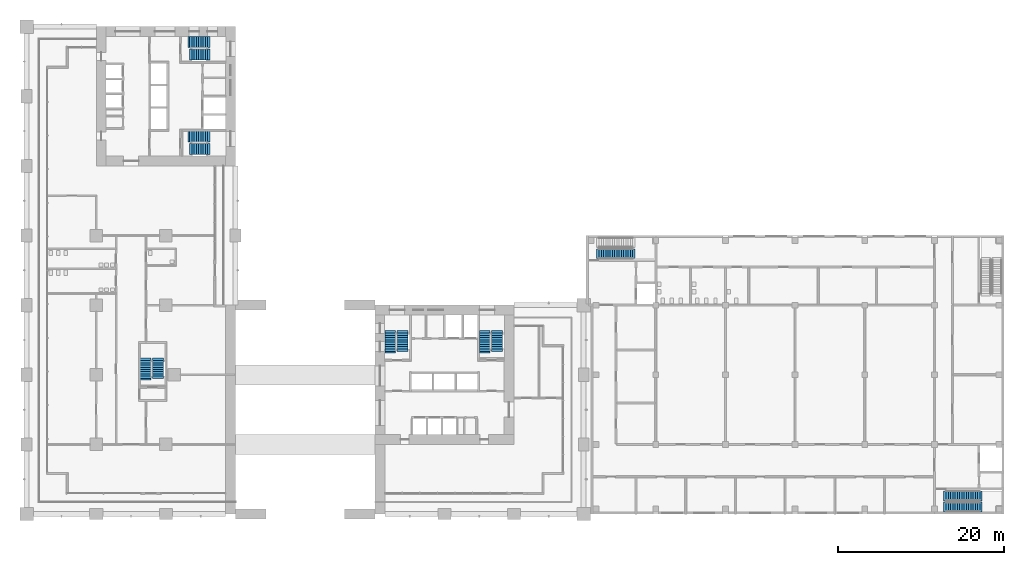
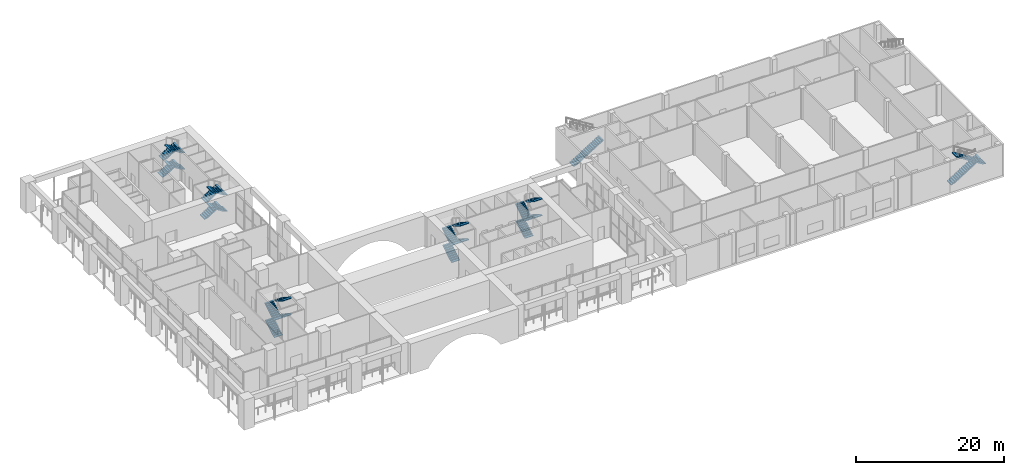
# One storey, part 17 of 26: 23 stair flights, 7 elements without a shape of their own.
"""IFC4 building model written with IfcOpenShell, lengths in metres."""

import ifcopenshell
import ifcopenshell.guid

model = None  # the IFC model being written
_history = None  # IfcOwnerHistory: only IFC2X3 demands one
_inside = {}  # id of a spatial element -> (the spatial element, [elements in it])
_under = {}  # id of a project, library or spatial element -> (it, [spatial elements below it])
_declared = {}  # id of a project -> (the project, [libraries it declares])
_typed = {}  # id of a type object -> (the type object, [elements of that type])
_made_of = {}  # id of a material, layer set ... -> (it, [elements and type objects made of it])


def new_model(schema):
    """Start an empty IFC model of exactly this schema.

    Asked for "IFC4X3", IfcOpenShell would pick the latest addendum, in which some entities
    have other attributes; the version numbers below select the first issue.
    IFC2X3 requires an IfcOwnerHistory on every rooted entity: one is made here for all.
    """
    global model, _history
    if schema == "IFC4X3":
        model = ifcopenshell.file(schema_version=(4, 3, 0, 0))
    else:
        model = ifcopenshell.file(schema=schema)
    _inside.clear()
    _under.clear()
    _declared.clear()
    _typed.clear()
    _made_of.clear()
    _history = None
    if model.schema == "IFC2X3":
        org = make("IfcOrganization", Name="unknown")
        user = make(
            "IfcPersonAndOrganization",
            ThePerson=make("IfcPerson", FamilyName="unknown"),
            TheOrganization=org,
        )
        app = make(
            "IfcApplication",
            ApplicationDeveloper=org,
            Version="unknown",
            ApplicationFullName="unknown",
            ApplicationIdentifier="unknown",
        )
        _history = make(
            "IfcOwnerHistory",
            OwningUser=user,
            OwningApplication=app,
            ChangeAction="ADDED",
            CreationDate=0,
        )
    return model


def make(cls, **values):
    """One entity of the class cls with the attributes given. An attribute that is None is left unset."""
    return model.create_entity(
        cls, **{name: value for name, value in values.items() if value is not None}
    )


def rooted(cls, **values):
    """An entity with a GlobalId (a new one), such as an element, a storey or a relation."""
    return make(cls, GlobalId=ifcopenshell.guid.new(), OwnerHistory=_history, **values)


def si_unit(unit_type, name, prefix=None):
    """IfcSIUnit, for example si_unit("LENGTHUNIT", "METRE", prefix="MILLI")."""
    return make("IfcSIUnit", UnitType=unit_type, Prefix=prefix, Name=name)


def assignment(units):
    """IfcUnitAssignment: the units of a project."""
    return None if units is None else make("IfcUnitAssignment", Units=units)


def point(xyz):
    """IfcCartesianPoint."""
    return None if xyz is None else make("IfcCartesianPoint", Coordinates=xyz)


def direction(xyz):
    """IfcDirection."""
    return None if xyz is None else make("IfcDirection", DirectionRatios=xyz)


def frame(location, z_axis=None, x_axis=None):
    """IfcAxis2Placement3D, a coordinate frame: its origin and axes. An axis left out is left unset."""
    return make(
        "IfcAxis2Placement3D",
        Location=point(location),
        Axis=direction(z_axis),
        RefDirection=direction(x_axis),
    )


def origin():
    """The frame at (0, 0, 0) with its axes left unset."""
    return frame((0.0, 0.0, 0.0))


def place(relative_to, where):
    """IfcLocalPlacement: puts the frame where relative to a parent placement (None: the world)."""
    return make(
        "IfcLocalPlacement", PlacementRelTo=relative_to, RelativePlacement=where
    )


def context(
    kind, dimensions, precision=None, world=None, true_north=None, identifier=None
):
    """IfcGeometricRepresentationContext, for example the 3D "Model" context."""
    return make(
        "IfcGeometricRepresentationContext",
        ContextIdentifier=identifier,
        ContextType=kind,
        CoordinateSpaceDimension=dimensions,
        Precision=precision,
        WorldCoordinateSystem=world,
        TrueNorth=true_north,
    )


def subcontext(parent, identifier, kind, view, scale=None):
    """IfcGeometricRepresentationSubContext, for example "Body" below "Model"."""
    return make(
        "IfcGeometricRepresentationSubContext",
        ContextIdentifier=identifier,
        ContextType=kind,
        ParentContext=parent,
        TargetScale=scale,
        TargetView=view,
    )


def project(units=None, contexts=None):
    """IfcProject with its units and contexts."""
    return rooted(
        "IfcProject",
        Name="project",
        RepresentationContexts=contexts,
        UnitsInContext=assignment(units),
    )


def spatial(cls, under=None, at=None, **own):
    """A site, building, storey or space (cls), placed at a placement, below another one or the project."""
    s = rooted(cls, ObjectPlacement=at, **own)
    if under is not None:
        _under.setdefault(under.id(), (under, []))[1].append(s)
    return s


def polyline(points):
    """IfcPolyline through the points."""
    return make("IfcPolyline", Points=[point(p) for p in points])


def outline(outer, holes=None, kind="AREA"):
    """IfcArbitraryClosedProfileDef: a profile drawn as a closed curve; with holes, ...WithVoids."""
    if holes is None:
        return make("IfcArbitraryClosedProfileDef", ProfileType=kind, OuterCurve=outer)
    return make(
        "IfcArbitraryProfileDefWithVoids",
        ProfileType=kind,
        OuterCurve=outer,
        InnerCurves=holes,
    )


def extrude(swept, where, along, depth):
    """IfcExtrudedAreaSolid: the profile swept, set in the frame where, extruded along a direction by depth."""
    return make(
        "IfcExtrudedAreaSolid",
        SweptArea=swept,
        Position=where,
        ExtrudedDirection=direction(along),
        Depth=depth,
    )


def shape(context_of_items, identifier, shape_type, items):
    """IfcShapeRepresentation: the items that make up one representation, for example the "Body"."""
    return make(
        "IfcShapeRepresentation",
        ContextOfItems=context_of_items,
        RepresentationIdentifier=identifier,
        RepresentationType=shape_type,
        Items=items,
    )


def material(Name=None, Category=None):
    """IfcMaterial."""
    return make("IfcMaterial", Name=Name, Category=Category)


def made_of(thing, what):
    """Note that an element or type object is made of a material, layer set ...; save() writes the relation."""
    if what is not None:
        _made_of.setdefault(what.id(), (what, []))[1].append(thing)
    return thing


def type_object(cls, material=None, **own):
    """A type object (cls), such as IfcWallType, which elements share."""
    return made_of(rooted(cls, **own), material)


def element(
    cls,
    number,
    at=None,
    inside=None,
    cuts=None,
    type_object=None,
    material=None,
    context=None,
    identifier="Body",
    shape_type=None,
    held_by="IfcProductDefinitionShape",
    body=None,
    shapes=None,
    **own,
):
    """One element of the class cls, such as IfcWall. Its Tag is "e" and its number.

    at: its placement. inside: the storey or other place that contains it. cuts: it is an
    opening in that element (IfcRelVoidsElement). A single representation is given by context,
    identifier, shape_type and body (its items); several are given by shapes. held_by: the class
    of the entity that holds the representations. save() writes the other relations.
    """
    e = rooted(cls, Tag="e%d" % number, ObjectPlacement=at, **own)
    if body is not None:
        shapes = [shape(context, identifier, shape_type, body)]
    if shapes is not None:
        e.Representation = make(held_by, Representations=shapes)
    if inside is not None:
        _inside.setdefault(inside.id(), (inside, []))[1].append(e)
    if cuts is not None:
        rooted(
            "IfcRelVoidsElement", RelatingBuildingElement=cuts, RelatedOpeningElement=e
        )
    if type_object is not None:
        _typed.setdefault(type_object.id(), (type_object, []))[1].append(e)
    return made_of(e, material)


def aggregate(whole, parts):
    """IfcRelAggregates: a whole, such as a stair, and the parts it consists of."""
    return rooted("IfcRelAggregates", RelatingObject=whole, RelatedObjects=parts)


def save(model, path):
    """Write the relations noted so far, then the file.

    IfcRelAggregates (storeys below a building ...), IfcRelContainedInSpatialStructure (elements
    in a storey), IfcRelDefinesByType, IfcRelAssociatesMaterial and IfcRelDeclares: one each for
    every whole, place, type object, material and project.
    """
    for whole, parts in _under.values():
        aggregate(whole, parts)
    for where, things in _inside.values():
        rooted(
            "IfcRelContainedInSpatialStructure",
            RelatedElements=things,
            RelatingStructure=where,
        )
    for kind, things in _typed.values():
        rooted("IfcRelDefinesByType", RelatedObjects=things, RelatingType=kind)
    for what, things in _made_of.values():
        rooted("IfcRelAssociatesMaterial", RelatedObjects=things, RelatingMaterial=what)
    for by, libraries in _declared.values():
        rooted("IfcRelDeclares", RelatingContext=by, RelatedDefinitions=libraries)
    model.write(path)


model = new_model("IFC4")

# Units and contexts
model_context = context("Model", 3, precision=1e-05, world=origin(), true_north=direction((0.0, 1.0)))
body_context = subcontext(model_context, "Body", "Model", "MODEL_VIEW")
ifc_project = project(units=[si_unit("LENGTHUNIT", "METRE"), si_unit("AREAUNIT", "SQUARE_METRE"), si_unit("VOLUMEUNIT", "CUBIC_METRE"), si_unit("PLANEANGLEUNIT", "RADIAN"), si_unit("MASSUNIT", "GRAM", prefix="KILO")], contexts=[model_context])

# Site, building, storey
site_placement = place(None, origin())
site = spatial("IfcSite", under=ifc_project, at=site_placement, CompositionType="ELEMENT")
building_placement = place(site_placement, origin())
building = spatial("IfcBuilding", under=site, at=building_placement, Name="Vermilion Gate Residences", CompositionType="ELEMENT")
storey_placement = place(building_placement, frame((0.0, 0.0, 9.0)))
storey = spatial("IfcBuildingStorey", under=building, at=storey_placement, Name="L01", CompositionType="ELEMENT", Elevation=9.0)

# Stair, stair flight
ifc_material_1 = material(Name="Concrete C35", Category="concrete")
stair_type_1 = type_object("IfcStairType", Name="RC STAIR 1200 (MARKET HALL)", PredefinedType="HALF_TURN_STAIR", material=ifc_material_1)
stair_1_placement = place(storey_placement, origin())
stair_1 = element("IfcStair", 1, at=stair_1_placement, inside=storey, type_object=stair_type_1, Name="Stair STH1-01", PredefinedType="HALF_TURN_STAIR")
ifc_material_2 = material(Name="Concrete C35", Category="concrete")
stair_flight_type_1 = type_object("IfcStairFlightType", Name="RC STAIR FLIGHT 1200 (MARKET HALL)", PredefinedType="STRAIGHT", material=ifc_material_2)
stair_flight_1_placement = place(storey_placement, frame((69.050048828125, 31.39990234375, 0.0), z_axis=(0.0, 0.0, 1.0), x_axis=(1.0, 0.0, 0.0)))
stair_flight_1 = element("IfcStairFlight", 2, at=stair_flight_1_placement, type_object=stair_flight_type_1, Name="STH1-01 flight 1", NumberOfRisers=16, NumberOfTreads=15, PredefinedType="STRAIGHT", RiserHeight=0.16875, TreadLength=0.27, context=body_context, shape_type="SweptSolid", body=[
    extrude(outline(polyline([(-0.300048828125, -0.14990234375), (-0.300048828125, -0.030029296875), (0.0, 0.0), (0.0, 0.168701171875), (0.27001953125, 0.168701171875), (0.27001953125, 0.33740234375), (0.5400390625, 0.33740234375), (0.5400390625, 0.50634765625), (0.81005859375, 0.50634765625), (0.81005859375, 0.675048828125), (1.080078125, 0.675048828125), (1.080078125, 0.84375), (1.35009765625, 0.84375), (1.35009765625, 1.012451171875), (1.6201171875, 1.012451171875), (1.6201171875, 1.18115234375), (1.889892578125, 1.18115234375), (1.889892578125, 1.35009765625), (2.159912109375, 1.35009765625), (2.159912109375, 1.518798828125), (2.429931640625, 1.518798828125), (2.429931640625, 1.6875), (2.699951171875, 1.6875), (2.699951171875, 1.856201171875), (2.969970703125, 1.856201171875), (2.969970703125, 2.02490234375), (3.239990234375, 2.02490234375), (3.239990234375, 2.19384765625), (3.510009765625, 2.19384765625), (3.510009765625, 2.362548828125), (3.780029296875, 2.362548828125), (3.780029296875, 2.53125), (4.050048828125, 2.53125), (4.050048828125, 2.699951171875), (4.35009765625, 2.669921875), (4.35009765625, 2.550048828125), (4.050048828125, 2.3544921875), (0.28271484375, 0.0), (-0.300048828125, -0.14990234375)])), frame((0.0, 0.60009765625, 0.0), z_axis=(0.0, -1.0, 0.0), x_axis=(1.0, 0.0, 0.0)), (0.0, 0.0, 1.0), 1.199951171875),
])
aggregate(stair_1, [stair_flight_1])

# Stair, stair flights
stair_2_placement = place(storey_placement, origin())
stair_2 = element("IfcStair", 3, at=stair_2_placement, inside=storey, type_object=stair_type_1, Name="Stair STH2-01", PredefinedType="HALF_TURN_STAIR")
stair_flight_2_placement = place(storey_placement, frame((110.925048828125, 2.199951171875, 0.0), z_axis=(0.0, 0.0, 1.0), x_axis=(1.0, 0.0, 0.0)))
stair_flight_2 = element("IfcStairFlight", 4, at=stair_flight_2_placement, type_object=stair_flight_type_1, Name="STH2-01 flight 1", NumberOfRisers=16, NumberOfTreads=15, PredefinedType="STRAIGHT", RiserHeight=0.16875, TreadLength=0.27, context=body_context, shape_type="SweptSolid", body=[
    extrude(outline(polyline([(-0.300048828125, -0.14990234375), (-0.300048828125, -0.030029296875), (0.0, 0.0), (0.0, 0.168701171875), (0.27001953125, 0.168701171875), (0.27001953125, 0.33740234375), (0.5400390625, 0.33740234375), (0.5400390625, 0.50634765625), (0.81005859375, 0.50634765625), (0.81005859375, 0.675048828125), (1.080078125, 0.675048828125), (1.080078125, 0.84375), (1.35009765625, 0.84375), (1.35009765625, 1.012451171875), (1.6201171875, 1.012451171875), (1.6201171875, 1.18115234375), (1.889892578125, 1.18115234375), (1.889892578125, 1.35009765625), (2.159912109375, 1.35009765625), (2.159912109375, 1.518798828125), (2.429931640625, 1.518798828125), (2.429931640625, 1.6875), (2.699951171875, 1.6875), (2.699951171875, 1.856201171875), (2.969970703125, 1.856201171875), (2.969970703125, 2.02490234375), (3.239990234375, 2.02490234375), (3.239990234375, 2.19384765625), (3.510009765625, 2.19384765625), (3.510009765625, 2.362548828125), (3.780029296875, 2.362548828125), (3.780029296875, 2.53125), (4.050048828125, 2.53125), (4.050048828125, 2.699951171875), (4.35009765625, 2.669921875), (4.35009765625, 2.550048828125), (4.050048828125, 2.3544921875), (0.28271484375, 0.0), (-0.300048828125, -0.14990234375)])), frame((0.0, 0.60009765625, 0.0), z_axis=(0.0, -1.0, 0.0), x_axis=(1.0, 0.0, 0.0)), (0.0, 0.0, 1.0), 1.199951171875),
])
stair_flight_3_placement = place(storey_placement, frame((114.97509765625, 0.85009765625, 2.699951171875), z_axis=(0.0, 0.0, 1.0), x_axis=(-1.0, 0.0, 0.0)))
stair_flight_3 = element("IfcStairFlight", 5, at=stair_flight_3_placement, type_object=stair_flight_type_1, Name="STH2-01 flight 2", NumberOfRisers=16, NumberOfTreads=15, PredefinedType="STRAIGHT", RiserHeight=0.16875, TreadLength=0.27, context=body_context, shape_type="SweptSolid", body=[
    extrude(outline(polyline([(-0.300048828125, -0.14990234375), (-0.300048828125, -0.030029296875), (0.0, 0.0), (0.0, 0.168701171875), (0.27001953125, 0.168701171875), (0.27001953125, 0.33740234375), (0.5400390625, 0.33740234375), (0.5400390625, 0.50634765625), (0.81005859375, 0.50634765625), (0.81005859375, 0.675048828125), (1.080078125, 0.675048828125), (1.080078125, 0.84375), (1.35009765625, 0.84375), (1.35009765625, 1.012451171875), (1.6201171875, 1.012451171875), (1.6201171875, 1.18115234375), (1.889892578125, 1.18115234375), (1.889892578125, 1.35009765625), (2.159912109375, 1.35009765625), (2.159912109375, 1.518798828125), (2.429931640625, 1.518798828125), (2.429931640625, 1.6875), (2.699951171875, 1.6875), (2.699951171875, 1.856201171875), (2.969970703125, 1.856201171875), (2.969970703125, 2.02490234375), (3.239990234375, 2.02490234375), (3.239990234375, 2.19384765625), (3.510009765625, 2.19384765625), (3.510009765625, 2.362548828125), (3.780029296875, 2.362548828125), (3.780029296875, 2.53125), (4.050048828125, 2.53125), (4.050048828125, 2.699951171875), (4.35009765625, 2.669921875), (4.35009765625, 2.550048828125), (4.050048828125, 2.3544921875), (0.28271484375, 0.0), (-0.300048828125, -0.14990234375)])), frame((0.0, 0.60009765625, 0.0), z_axis=(0.0, -1.0, 0.0), x_axis=(1.0, 0.0, 0.0)), (0.0, 0.0, 1.0), 1.199951171875),
])
aggregate(stair_2, [stair_flight_2, stair_flight_3])

ifc_material_3 = material(Name="Concrete C50", Category="concrete")
stair_type_2 = type_object("IfcStairType", Name="SPECIAL ESCAPE STAIR 1300", PredefinedType="HALF_TURN_STAIR", material=ifc_material_3)
stair_3_placement = place(storey_placement, origin())
stair_3 = element("IfcStair", 6, at=stair_3_placement, inside=storey, type_object=stair_type_2, Name="Special escape stair STA1-01", PredefinedType="HALF_TURN_STAIR")
ifc_material_4 = material(Name="Concrete C50", Category="concrete")
stair_flight_type_2 = type_object("IfcStairFlightType", Name="STAIR FLIGHT 1300 RC C50", PredefinedType="STRAIGHT", material=ifc_material_4)
stair_flight_4_placement = place(storey_placement, frame((43.85009765625, 19.75, 0.0), z_axis=(0.0, 0.0, 1.0), x_axis=(0.0, 1.0, 0.0)))
stair_flight_4 = element("IfcStairFlight", 7, at=stair_flight_4_placement, type_object=stair_flight_type_2, Name="STA1-01 flight 1", NumberOfRisers=8, NumberOfTreads=7, PredefinedType="STRAIGHT", RiserHeight=0.16875, TreadLength=0.27, context=body_context, shape_type="SweptSolid", body=[
    extrude(outline(polyline([(-0.300048828125, -0.14990234375), (-0.300048828125, -0.030029296875), (0.0, 0.0), (0.0, 0.168701171875), (0.27001953125, 0.168701171875), (0.27001953125, 0.33740234375), (0.5400390625, 0.33740234375), (0.5400390625, 0.50634765625), (0.81005859375, 0.50634765625), (0.81005859375, 0.675048828125), (1.080078125, 0.675048828125), (1.080078125, 0.84375), (1.35009765625, 0.84375), (1.35009765625, 1.012451171875), (1.6201171875, 1.012451171875), (1.6201171875, 1.18115234375), (1.889892578125, 1.18115234375), (1.889892578125, 1.35009765625), (2.18994140625, 1.320068359375), (2.18994140625, 1.2001953125), (1.889892578125, 1.00439453125), (0.28271484375, 0.0), (-0.300048828125, -0.14990234375)])), frame((0.0, 0.64990234375, 0.0), z_axis=(0.0, -1.0, 0.0), x_axis=(1.0, 0.0, 0.0)), (0.0, 0.0, 1.0), 1.300048828125),
])
stair_flight_5_placement = place(storey_placement, frame((45.35009765625, 21.820068359375, 1.35009765625), z_axis=(0.0, 0.0, 1.0), x_axis=(0.0, -1.0, 0.0)))
stair_flight_5 = element("IfcStairFlight", 8, at=stair_flight_5_placement, type_object=stair_flight_type_2, Name="STA1-01 flight 2", NumberOfRisers=8, NumberOfTreads=7, PredefinedType="STRAIGHT", RiserHeight=0.16875, TreadLength=0.27, context=body_context, shape_type="SweptSolid", body=[
    extrude(outline(polyline([(-0.300048828125, -0.14990234375), (-0.300048828125, -0.030029296875), (0.0, 0.0), (0.0, 0.168701171875), (0.27001953125, 0.168701171875), (0.27001953125, 0.33740234375), (0.5400390625, 0.33740234375), (0.5400390625, 0.50634765625), (0.81005859375, 0.50634765625), (0.81005859375, 0.675048828125), (1.080078125, 0.675048828125), (1.080078125, 0.84375), (1.35009765625, 0.84375), (1.35009765625, 1.012451171875), (1.6201171875, 1.012451171875), (1.6201171875, 1.18115234375), (1.889892578125, 1.18115234375), (1.889892578125, 1.35009765625), (2.18994140625, 1.320068359375), (2.18994140625, 1.2001953125), (1.889892578125, 1.00439453125), (0.28271484375, 0.0), (-0.300048828125, -0.14990234375)])), frame((0.0, 0.64990234375, 0.0), z_axis=(0.0, -1.0, 0.0), x_axis=(1.0, 0.0, 0.0)), (0.0, 0.0, 1.0), 1.300048828125),
])
stair_flight_6_placement = place(storey_placement, frame((43.85009765625, 19.929931640625, 2.699951171875), z_axis=(0.0, 0.0, 1.0), x_axis=(0.0, 1.0, 0.0)))
stair_flight_6 = element("IfcStairFlight", 9, at=stair_flight_6_placement, type_object=stair_flight_type_2, Name="STA1-01 flight 3", NumberOfRisers=8, NumberOfTreads=7, PredefinedType="STRAIGHT", RiserHeight=0.16875, TreadLength=0.27, context=body_context, shape_type="SweptSolid", body=[
    extrude(outline(polyline([(-0.300048828125, -0.14990234375), (-0.300048828125, -0.030029296875), (0.0, 0.0), (0.0, 0.168701171875), (0.27001953125, 0.168701171875), (0.27001953125, 0.33740234375), (0.5400390625, 0.33740234375), (0.5400390625, 0.50634765625), (0.81005859375, 0.50634765625), (0.81005859375, 0.675048828125), (1.080078125, 0.675048828125), (1.080078125, 0.84375), (1.35009765625, 0.84375), (1.35009765625, 1.012451171875), (1.6201171875, 1.012451171875), (1.6201171875, 1.18115234375), (1.889892578125, 1.18115234375), (1.889892578125, 1.35009765625), (2.18994140625, 1.320068359375), (2.18994140625, 1.2001953125), (1.889892578125, 1.00439453125), (0.28271484375, 0.0), (-0.300048828125, -0.14990234375)])), frame((0.0, 0.64990234375, 0.0), z_axis=(0.0, -1.0, 0.0), x_axis=(1.0, 0.0, 0.0)), (0.0, 0.0, 1.0), 1.300048828125),
])
stair_flight_7_placement = place(storey_placement, frame((45.35009765625, 21.820068359375, 4.050048828125), z_axis=(0.0, 0.0, 1.0), x_axis=(0.0, -1.0, 0.0)))
stair_flight_7 = element("IfcStairFlight", 10, at=stair_flight_7_placement, type_object=stair_flight_type_2, Name="STA1-01 flight 4", NumberOfRisers=8, NumberOfTreads=7, PredefinedType="STRAIGHT", RiserHeight=0.16875, TreadLength=0.27, context=body_context, shape_type="SweptSolid", body=[
    extrude(outline(polyline([(-0.300048828125, -0.14990234375), (-0.300048828125, -0.030029296875), (0.0, 0.0), (0.0, 0.168701171875), (0.27001953125, 0.168701171875), (0.27001953125, 0.33740234375), (0.5400390625, 0.33740234375), (0.5400390625, 0.50634765625), (0.81005859375, 0.50634765625), (0.81005859375, 0.675048828125), (1.080078125, 0.675048828125), (1.080078125, 0.84375), (1.35009765625, 0.84375), (1.35009765625, 1.012451171875), (1.6201171875, 1.012451171875), (1.6201171875, 1.18115234375), (1.889892578125, 1.18115234375), (1.889892578125, 1.35009765625), (2.18994140625, 1.320068359375), (2.18994140625, 1.2001953125), (1.889892578125, 1.00439453125), (0.28271484375, 0.0), (-0.300048828125, -0.14990234375)])), frame((0.0, 0.64990234375, 0.0), z_axis=(0.0, -1.0, 0.0), x_axis=(1.0, 0.0, 0.0)), (0.0, 0.0, 1.0), 1.300048828125),
])
aggregate(stair_3, [stair_flight_4, stair_flight_5, stair_flight_6, stair_flight_7])

stair_4_placement = place(storey_placement, origin())
stair_4 = element("IfcStair", 11, at=stair_4_placement, inside=storey, type_object=stair_type_2, Name="Special escape stair STA2-01", PredefinedType="HALF_TURN_STAIR")
stair_flight_8_placement = place(storey_placement, frame((55.25, 19.75, 0.0), z_axis=(0.0, 0.0, 1.0), x_axis=(0.0, 1.0, 0.0)))
stair_flight_8 = element("IfcStairFlight", 12, at=stair_flight_8_placement, type_object=stair_flight_type_2, Name="STA2-01 flight 1", NumberOfRisers=8, NumberOfTreads=7, PredefinedType="STRAIGHT", RiserHeight=0.16875, TreadLength=0.27, context=body_context, shape_type="SweptSolid", body=[
    extrude(outline(polyline([(-0.300048828125, -0.14990234375), (-0.300048828125, -0.030029296875), (0.0, 0.0), (0.0, 0.168701171875), (0.27001953125, 0.168701171875), (0.27001953125, 0.33740234375), (0.5400390625, 0.33740234375), (0.5400390625, 0.50634765625), (0.81005859375, 0.50634765625), (0.81005859375, 0.675048828125), (1.080078125, 0.675048828125), (1.080078125, 0.84375), (1.35009765625, 0.84375), (1.35009765625, 1.012451171875), (1.6201171875, 1.012451171875), (1.6201171875, 1.18115234375), (1.889892578125, 1.18115234375), (1.889892578125, 1.35009765625), (2.18994140625, 1.320068359375), (2.18994140625, 1.2001953125), (1.889892578125, 1.00439453125), (0.28271484375, 0.0), (-0.300048828125, -0.14990234375)])), frame((0.0, 0.64990234375, 0.0), z_axis=(0.0, -1.0, 0.0), x_axis=(1.0, 0.0, 0.0)), (0.0, 0.0, 1.0), 1.300048828125),
])
stair_flight_9_placement = place(storey_placement, frame((56.75, 21.820068359375, 1.35009765625), z_axis=(0.0, 0.0, 1.0), x_axis=(0.0, -1.0, 0.0)))
stair_flight_9 = element("IfcStairFlight", 13, at=stair_flight_9_placement, type_object=stair_flight_type_2, Name="STA2-01 flight 2", NumberOfRisers=8, NumberOfTreads=7, PredefinedType="STRAIGHT", RiserHeight=0.16875, TreadLength=0.27, context=body_context, shape_type="SweptSolid", body=[
    extrude(outline(polyline([(-0.300048828125, -0.14990234375), (-0.300048828125, -0.030029296875), (0.0, 0.0), (0.0, 0.168701171875), (0.27001953125, 0.168701171875), (0.27001953125, 0.33740234375), (0.5400390625, 0.33740234375), (0.5400390625, 0.50634765625), (0.81005859375, 0.50634765625), (0.81005859375, 0.675048828125), (1.080078125, 0.675048828125), (1.080078125, 0.84375), (1.35009765625, 0.84375), (1.35009765625, 1.012451171875), (1.6201171875, 1.012451171875), (1.6201171875, 1.18115234375), (1.889892578125, 1.18115234375), (1.889892578125, 1.35009765625), (2.18994140625, 1.320068359375), (2.18994140625, 1.2001953125), (1.889892578125, 1.00439453125), (0.28271484375, 0.0), (-0.300048828125, -0.14990234375)])), frame((0.0, 0.64990234375, 0.0), z_axis=(0.0, -1.0, 0.0), x_axis=(1.0, 0.0, 0.0)), (0.0, 0.0, 1.0), 1.300048828125),
])
stair_flight_10_placement = place(storey_placement, frame((55.25, 19.929931640625, 2.699951171875), z_axis=(0.0, 0.0, 1.0), x_axis=(0.0, 1.0, 0.0)))
stair_flight_10 = element("IfcStairFlight", 14, at=stair_flight_10_placement, type_object=stair_flight_type_2, Name="STA2-01 flight 3", NumberOfRisers=8, NumberOfTreads=7, PredefinedType="STRAIGHT", RiserHeight=0.16875, TreadLength=0.27, context=body_context, shape_type="SweptSolid", body=[
    extrude(outline(polyline([(-0.300048828125, -0.14990234375), (-0.300048828125, -0.030029296875), (0.0, 0.0), (0.0, 0.168701171875), (0.27001953125, 0.168701171875), (0.27001953125, 0.33740234375), (0.5400390625, 0.33740234375), (0.5400390625, 0.50634765625), (0.81005859375, 0.50634765625), (0.81005859375, 0.675048828125), (1.080078125, 0.675048828125), (1.080078125, 0.84375), (1.35009765625, 0.84375), (1.35009765625, 1.012451171875), (1.6201171875, 1.012451171875), (1.6201171875, 1.18115234375), (1.889892578125, 1.18115234375), (1.889892578125, 1.35009765625), (2.18994140625, 1.320068359375), (2.18994140625, 1.2001953125), (1.889892578125, 1.00439453125), (0.28271484375, 0.0), (-0.300048828125, -0.14990234375)])), frame((0.0, 0.64990234375, 0.0), z_axis=(0.0, -1.0, 0.0), x_axis=(1.0, 0.0, 0.0)), (0.0, 0.0, 1.0), 1.300048828125),
])
stair_flight_11_placement = place(storey_placement, frame((56.75, 21.820068359375, 4.050048828125), z_axis=(0.0, 0.0, 1.0), x_axis=(0.0, -1.0, 0.0)))
stair_flight_11 = element("IfcStairFlight", 15, at=stair_flight_11_placement, type_object=stair_flight_type_2, Name="STA2-01 flight 4", NumberOfRisers=8, NumberOfTreads=7, PredefinedType="STRAIGHT", RiserHeight=0.16875, TreadLength=0.27, context=body_context, shape_type="SweptSolid", body=[
    extrude(outline(polyline([(-0.300048828125, -0.14990234375), (-0.300048828125, -0.030029296875), (0.0, 0.0), (0.0, 0.168701171875), (0.27001953125, 0.168701171875), (0.27001953125, 0.33740234375), (0.5400390625, 0.33740234375), (0.5400390625, 0.50634765625), (0.81005859375, 0.50634765625), (0.81005859375, 0.675048828125), (1.080078125, 0.675048828125), (1.080078125, 0.84375), (1.35009765625, 0.84375), (1.35009765625, 1.012451171875), (1.6201171875, 1.012451171875), (1.6201171875, 1.18115234375), (1.889892578125, 1.18115234375), (1.889892578125, 1.35009765625), (2.18994140625, 1.320068359375), (2.18994140625, 1.2001953125), (1.889892578125, 1.00439453125), (0.28271484375, 0.0), (-0.300048828125, -0.14990234375)])), frame((0.0, 0.64990234375, 0.0), z_axis=(0.0, -1.0, 0.0), x_axis=(1.0, 0.0, 0.0)), (0.0, 0.0, 1.0), 1.300048828125),
])
aggregate(stair_4, [stair_flight_8, stair_flight_9, stair_flight_10, stair_flight_11])

stair_5_placement = place(storey_placement, origin())
stair_5 = element("IfcStair", 16, at=stair_5_placement, inside=storey, type_object=stair_type_2, Name="Special escape stair STB1-01", PredefinedType="HALF_TURN_STAIR")
stair_flight_12_placement = place(storey_placement, frame((19.75, 56.949951171875, 0.0), z_axis=(0.0, 0.0, 1.0), x_axis=(1.0, 0.0, 0.0)))
stair_flight_12 = element("IfcStairFlight", 17, at=stair_flight_12_placement, type_object=stair_flight_type_2, Name="STB1-01 flight 1", NumberOfRisers=8, NumberOfTreads=7, PredefinedType="STRAIGHT", RiserHeight=0.16875, TreadLength=0.27, context=body_context, shape_type="SweptSolid", body=[
    extrude(outline(polyline([(-0.300048828125, -0.14990234375), (-0.300048828125, -0.030029296875), (0.0, 0.0), (0.0, 0.168701171875), (0.27001953125, 0.168701171875), (0.27001953125, 0.33740234375), (0.5400390625, 0.33740234375), (0.5400390625, 0.50634765625), (0.81005859375, 0.50634765625), (0.81005859375, 0.675048828125), (1.080078125, 0.675048828125), (1.080078125, 0.84375), (1.35009765625, 0.84375), (1.35009765625, 1.012451171875), (1.6201171875, 1.012451171875), (1.6201171875, 1.18115234375), (1.889892578125, 1.18115234375), (1.889892578125, 1.35009765625), (2.18994140625, 1.320068359375), (2.18994140625, 1.2001953125), (1.889892578125, 1.00439453125), (0.28271484375, 0.0), (-0.300048828125, -0.14990234375)])), frame((0.0, 0.64990234375, 0.0), z_axis=(0.0, -1.0, 0.0), x_axis=(1.0, 0.0, 0.0)), (0.0, 0.0, 1.0), 1.300048828125),
])
stair_flight_13_placement = place(storey_placement, frame((21.820068359375, 55.449951171875, 1.35009765625), z_axis=(0.0, 0.0, 1.0), x_axis=(-1.0, 0.0, 0.0)))
stair_flight_13 = element("IfcStairFlight", 18, at=stair_flight_13_placement, type_object=stair_flight_type_2, Name="STB1-01 flight 2", NumberOfRisers=8, NumberOfTreads=7, PredefinedType="STRAIGHT", RiserHeight=0.16875, TreadLength=0.27, context=body_context, shape_type="SweptSolid", body=[
    extrude(outline(polyline([(-0.300048828125, -0.14990234375), (-0.300048828125, -0.030029296875), (0.0, 0.0), (0.0, 0.168701171875), (0.27001953125, 0.168701171875), (0.27001953125, 0.33740234375), (0.5400390625, 0.33740234375), (0.5400390625, 0.50634765625), (0.81005859375, 0.50634765625), (0.81005859375, 0.675048828125), (1.080078125, 0.675048828125), (1.080078125, 0.84375), (1.35009765625, 0.84375), (1.35009765625, 1.012451171875), (1.6201171875, 1.012451171875), (1.6201171875, 1.18115234375), (1.889892578125, 1.18115234375), (1.889892578125, 1.35009765625), (2.18994140625, 1.320068359375), (2.18994140625, 1.2001953125), (1.889892578125, 1.00439453125), (0.28271484375, 0.0), (-0.300048828125, -0.14990234375)])), frame((0.0, 0.64990234375, 0.0), z_axis=(0.0, -1.0, 0.0), x_axis=(1.0, 0.0, 0.0)), (0.0, 0.0, 1.0), 1.300048828125),
])
stair_flight_14_placement = place(storey_placement, frame((19.929931640625, 56.949951171875, 2.699951171875), z_axis=(0.0, 0.0, 1.0), x_axis=(1.0, 0.0, 0.0)))
stair_flight_14 = element("IfcStairFlight", 19, at=stair_flight_14_placement, type_object=stair_flight_type_2, Name="STB1-01 flight 3", NumberOfRisers=8, NumberOfTreads=7, PredefinedType="STRAIGHT", RiserHeight=0.16875, TreadLength=0.27, context=body_context, shape_type="SweptSolid", body=[
    extrude(outline(polyline([(-0.300048828125, -0.14990234375), (-0.300048828125, -0.030029296875), (0.0, 0.0), (0.0, 0.168701171875), (0.27001953125, 0.168701171875), (0.27001953125, 0.33740234375), (0.5400390625, 0.33740234375), (0.5400390625, 0.50634765625), (0.81005859375, 0.50634765625), (0.81005859375, 0.675048828125), (1.080078125, 0.675048828125), (1.080078125, 0.84375), (1.35009765625, 0.84375), (1.35009765625, 1.012451171875), (1.6201171875, 1.012451171875), (1.6201171875, 1.18115234375), (1.889892578125, 1.18115234375), (1.889892578125, 1.35009765625), (2.18994140625, 1.320068359375), (2.18994140625, 1.2001953125), (1.889892578125, 1.00439453125), (0.28271484375, 0.0), (-0.300048828125, -0.14990234375)])), frame((0.0, 0.64990234375, 0.0), z_axis=(0.0, -1.0, 0.0), x_axis=(1.0, 0.0, 0.0)), (0.0, 0.0, 1.0), 1.300048828125),
])
stair_flight_15_placement = place(storey_placement, frame((21.820068359375, 55.449951171875, 4.050048828125), z_axis=(0.0, 0.0, 1.0), x_axis=(-1.0, 0.0, 0.0)))
stair_flight_15 = element("IfcStairFlight", 20, at=stair_flight_15_placement, type_object=stair_flight_type_2, Name="STB1-01 flight 4", NumberOfRisers=8, NumberOfTreads=7, PredefinedType="STRAIGHT", RiserHeight=0.16875, TreadLength=0.27, context=body_context, shape_type="SweptSolid", body=[
    extrude(outline(polyline([(-0.300048828125, -0.14990234375), (-0.300048828125, -0.030029296875), (0.0, 0.0), (0.0, 0.168701171875), (0.27001953125, 0.168701171875), (0.27001953125, 0.33740234375), (0.5400390625, 0.33740234375), (0.5400390625, 0.50634765625), (0.81005859375, 0.50634765625), (0.81005859375, 0.675048828125), (1.080078125, 0.675048828125), (1.080078125, 0.84375), (1.35009765625, 0.84375), (1.35009765625, 1.012451171875), (1.6201171875, 1.012451171875), (1.6201171875, 1.18115234375), (1.889892578125, 1.18115234375), (1.889892578125, 1.35009765625), (2.18994140625, 1.320068359375), (2.18994140625, 1.2001953125), (1.889892578125, 1.00439453125), (0.28271484375, 0.0), (-0.300048828125, -0.14990234375)])), frame((0.0, 0.64990234375, 0.0), z_axis=(0.0, -1.0, 0.0), x_axis=(1.0, 0.0, 0.0)), (0.0, 0.0, 1.0), 1.300048828125),
])
aggregate(stair_5, [stair_flight_12, stair_flight_13, stair_flight_14, stair_flight_15])

stair_6_placement = place(storey_placement, origin())
stair_6 = element("IfcStair", 21, at=stair_6_placement, inside=storey, type_object=stair_type_2, Name="Special escape stair STB2-01", PredefinedType="HALF_TURN_STAIR")
stair_flight_16_placement = place(storey_placement, frame((19.75, 45.550048828125, 0.0), z_axis=(0.0, 0.0, 1.0), x_axis=(1.0, 0.0, 0.0)))
stair_flight_16 = element("IfcStairFlight", 22, at=stair_flight_16_placement, type_object=stair_flight_type_2, Name="STB2-01 flight 1", NumberOfRisers=8, NumberOfTreads=7, PredefinedType="STRAIGHT", RiserHeight=0.16875, TreadLength=0.27, context=body_context, shape_type="SweptSolid", body=[
    extrude(outline(polyline([(-0.300048828125, -0.14990234375), (-0.300048828125, -0.030029296875), (0.0, 0.0), (0.0, 0.168701171875), (0.27001953125, 0.168701171875), (0.27001953125, 0.33740234375), (0.5400390625, 0.33740234375), (0.5400390625, 0.50634765625), (0.81005859375, 0.50634765625), (0.81005859375, 0.675048828125), (1.080078125, 0.675048828125), (1.080078125, 0.84375), (1.35009765625, 0.84375), (1.35009765625, 1.012451171875), (1.6201171875, 1.012451171875), (1.6201171875, 1.18115234375), (1.889892578125, 1.18115234375), (1.889892578125, 1.35009765625), (2.18994140625, 1.320068359375), (2.18994140625, 1.2001953125), (1.889892578125, 1.00439453125), (0.28271484375, 0.0), (-0.300048828125, -0.14990234375)])), frame((0.0, 0.64990234375, 0.0), z_axis=(0.0, -1.0, 0.0), x_axis=(1.0, 0.0, 0.0)), (0.0, 0.0, 1.0), 1.300048828125),
])
stair_flight_17_placement = place(storey_placement, frame((21.820068359375, 44.050048828125, 1.35009765625), z_axis=(0.0, 0.0, 1.0), x_axis=(-1.0, 0.0, 0.0)))
stair_flight_17 = element("IfcStairFlight", 23, at=stair_flight_17_placement, type_object=stair_flight_type_2, Name="STB2-01 flight 2", NumberOfRisers=8, NumberOfTreads=7, PredefinedType="STRAIGHT", RiserHeight=0.16875, TreadLength=0.27, context=body_context, shape_type="SweptSolid", body=[
    extrude(outline(polyline([(-0.300048828125, -0.14990234375), (-0.300048828125, -0.030029296875), (0.0, 0.0), (0.0, 0.168701171875), (0.27001953125, 0.168701171875), (0.27001953125, 0.33740234375), (0.5400390625, 0.33740234375), (0.5400390625, 0.50634765625), (0.81005859375, 0.50634765625), (0.81005859375, 0.675048828125), (1.080078125, 0.675048828125), (1.080078125, 0.84375), (1.35009765625, 0.84375), (1.35009765625, 1.012451171875), (1.6201171875, 1.012451171875), (1.6201171875, 1.18115234375), (1.889892578125, 1.18115234375), (1.889892578125, 1.35009765625), (2.18994140625, 1.320068359375), (2.18994140625, 1.2001953125), (1.889892578125, 1.00439453125), (0.28271484375, 0.0), (-0.300048828125, -0.14990234375)])), frame((0.0, 0.64990234375, 0.0), z_axis=(0.0, -1.0, 0.0), x_axis=(1.0, 0.0, 0.0)), (0.0, 0.0, 1.0), 1.300048828125),
])
stair_flight_18_placement = place(storey_placement, frame((19.929931640625, 45.550048828125, 2.699951171875), z_axis=(0.0, 0.0, 1.0), x_axis=(1.0, 0.0, 0.0)))
stair_flight_18 = element("IfcStairFlight", 24, at=stair_flight_18_placement, type_object=stair_flight_type_2, Name="STB2-01 flight 3", NumberOfRisers=8, NumberOfTreads=7, PredefinedType="STRAIGHT", RiserHeight=0.16875, TreadLength=0.27, context=body_context, shape_type="SweptSolid", body=[
    extrude(outline(polyline([(-0.300048828125, -0.14990234375), (-0.300048828125, -0.030029296875), (0.0, 0.0), (0.0, 0.168701171875), (0.27001953125, 0.168701171875), (0.27001953125, 0.33740234375), (0.5400390625, 0.33740234375), (0.5400390625, 0.50634765625), (0.81005859375, 0.50634765625), (0.81005859375, 0.675048828125), (1.080078125, 0.675048828125), (1.080078125, 0.84375), (1.35009765625, 0.84375), (1.35009765625, 1.012451171875), (1.6201171875, 1.012451171875), (1.6201171875, 1.18115234375), (1.889892578125, 1.18115234375), (1.889892578125, 1.35009765625), (2.18994140625, 1.320068359375), (2.18994140625, 1.2001953125), (1.889892578125, 1.00439453125), (0.28271484375, 0.0), (-0.300048828125, -0.14990234375)])), frame((0.0, 0.64990234375, 0.0), z_axis=(0.0, -1.0, 0.0), x_axis=(1.0, 0.0, 0.0)), (0.0, 0.0, 1.0), 1.300048828125),
])
stair_flight_19_placement = place(storey_placement, frame((21.820068359375, 44.050048828125, 4.050048828125), z_axis=(0.0, 0.0, 1.0), x_axis=(-1.0, 0.0, 0.0)))
stair_flight_19 = element("IfcStairFlight", 25, at=stair_flight_19_placement, type_object=stair_flight_type_2, Name="STB2-01 flight 4", NumberOfRisers=8, NumberOfTreads=7, PredefinedType="STRAIGHT", RiserHeight=0.16875, TreadLength=0.27, context=body_context, shape_type="SweptSolid", body=[
    extrude(outline(polyline([(-0.300048828125, -0.14990234375), (-0.300048828125, -0.030029296875), (0.0, 0.0), (0.0, 0.168701171875), (0.27001953125, 0.168701171875), (0.27001953125, 0.33740234375), (0.5400390625, 0.33740234375), (0.5400390625, 0.50634765625), (0.81005859375, 0.50634765625), (0.81005859375, 0.675048828125), (1.080078125, 0.675048828125), (1.080078125, 0.84375), (1.35009765625, 0.84375), (1.35009765625, 1.012451171875), (1.6201171875, 1.012451171875), (1.6201171875, 1.18115234375), (1.889892578125, 1.18115234375), (1.889892578125, 1.35009765625), (2.18994140625, 1.320068359375), (2.18994140625, 1.2001953125), (1.889892578125, 1.00439453125), (0.28271484375, 0.0), (-0.300048828125, -0.14990234375)])), frame((0.0, 0.64990234375, 0.0), z_axis=(0.0, -1.0, 0.0), x_axis=(1.0, 0.0, 0.0)), (0.0, 0.0, 1.0), 1.300048828125),
])
aggregate(stair_6, [stair_flight_16, stair_flight_17, stair_flight_18, stair_flight_19])

stair_7_placement = place(storey_placement, origin())
stair_7 = element("IfcStair", 26, at=stair_7_placement, inside=storey, type_object=stair_type_2, Name="Special escape stair STC1-01", PredefinedType="HALF_TURN_STAIR")
stair_flight_20_placement = place(storey_placement, frame((14.35009765625, 16.449951171875, 0.0), z_axis=(0.0, 0.0, 1.0), x_axis=(0.0, 1.0, 0.0)))
stair_flight_20 = element("IfcStairFlight", 27, at=stair_flight_20_placement, type_object=stair_flight_type_2, Name="STC1-01 flight 1", NumberOfRisers=8, NumberOfTreads=7, PredefinedType="STRAIGHT", RiserHeight=0.16875, TreadLength=0.27, context=body_context, shape_type="SweptSolid", body=[
    extrude(outline(polyline([(-0.300048828125, -0.14990234375), (-0.300048828125, -0.030029296875), (0.0, 0.0), (0.0, 0.168701171875), (0.27001953125, 0.168701171875), (0.27001953125, 0.33740234375), (0.5400390625, 0.33740234375), (0.5400390625, 0.50634765625), (0.81005859375, 0.50634765625), (0.81005859375, 0.675048828125), (1.080078125, 0.675048828125), (1.080078125, 0.84375), (1.35009765625, 0.84375), (1.35009765625, 1.012451171875), (1.6201171875, 1.012451171875), (1.6201171875, 1.18115234375), (1.889892578125, 1.18115234375), (1.889892578125, 1.35009765625), (2.18994140625, 1.320068359375), (2.18994140625, 1.2001953125), (1.889892578125, 1.00439453125), (0.28271484375, 0.0), (-0.300048828125, -0.14990234375)])), frame((0.0, 0.64990234375, 0.0), z_axis=(0.0, -1.0, 0.0), x_axis=(1.0, 0.0, 0.0)), (0.0, 0.0, 1.0), 1.300048828125),
])
stair_flight_21_placement = place(storey_placement, frame((15.85009765625, 18.52001953125, 1.35009765625), z_axis=(0.0, 0.0, 1.0), x_axis=(0.0, -1.0, 0.0)))
stair_flight_21 = element("IfcStairFlight", 28, at=stair_flight_21_placement, type_object=stair_flight_type_2, Name="STC1-01 flight 2", NumberOfRisers=8, NumberOfTreads=7, PredefinedType="STRAIGHT", RiserHeight=0.16875, TreadLength=0.27, context=body_context, shape_type="SweptSolid", body=[
    extrude(outline(polyline([(-0.300048828125, -0.14990234375), (-0.300048828125, -0.030029296875), (0.0, 0.0), (0.0, 0.168701171875), (0.27001953125, 0.168701171875), (0.27001953125, 0.33740234375), (0.5400390625, 0.33740234375), (0.5400390625, 0.50634765625), (0.81005859375, 0.50634765625), (0.81005859375, 0.675048828125), (1.080078125, 0.675048828125), (1.080078125, 0.84375), (1.35009765625, 0.84375), (1.35009765625, 1.012451171875), (1.6201171875, 1.012451171875), (1.6201171875, 1.18115234375), (1.889892578125, 1.18115234375), (1.889892578125, 1.35009765625), (2.18994140625, 1.320068359375), (2.18994140625, 1.2001953125), (1.889892578125, 1.00439453125), (0.28271484375, 0.0), (-0.300048828125, -0.14990234375)])), frame((0.0, 0.64990234375, 0.0), z_axis=(0.0, -1.0, 0.0), x_axis=(1.0, 0.0, 0.0)), (0.0, 0.0, 1.0), 1.300048828125),
])
stair_flight_22_placement = place(storey_placement, frame((14.35009765625, 16.6298828125, 2.699951171875), z_axis=(0.0, 0.0, 1.0), x_axis=(0.0, 1.0, 0.0)))
stair_flight_22 = element("IfcStairFlight", 29, at=stair_flight_22_placement, type_object=stair_flight_type_2, Name="STC1-01 flight 3", NumberOfRisers=8, NumberOfTreads=7, PredefinedType="STRAIGHT", RiserHeight=0.16875, TreadLength=0.27, context=body_context, shape_type="SweptSolid", body=[
    extrude(outline(polyline([(-0.300048828125, -0.14990234375), (-0.300048828125, -0.030029296875), (0.0, 0.0), (0.0, 0.168701171875), (0.27001953125, 0.168701171875), (0.27001953125, 0.33740234375), (0.5400390625, 0.33740234375), (0.5400390625, 0.50634765625), (0.81005859375, 0.50634765625), (0.81005859375, 0.675048828125), (1.080078125, 0.675048828125), (1.080078125, 0.84375), (1.35009765625, 0.84375), (1.35009765625, 1.012451171875), (1.6201171875, 1.012451171875), (1.6201171875, 1.18115234375), (1.889892578125, 1.18115234375), (1.889892578125, 1.35009765625), (2.18994140625, 1.320068359375), (2.18994140625, 1.2001953125), (1.889892578125, 1.00439453125), (0.28271484375, 0.0), (-0.300048828125, -0.14990234375)])), frame((0.0, 0.64990234375, 0.0), z_axis=(0.0, -1.0, 0.0), x_axis=(1.0, 0.0, 0.0)), (0.0, 0.0, 1.0), 1.300048828125),
])
stair_flight_23_placement = place(storey_placement, frame((15.85009765625, 18.52001953125, 4.050048828125), z_axis=(0.0, 0.0, 1.0), x_axis=(0.0, -1.0, 0.0)))
stair_flight_23 = element("IfcStairFlight", 30, at=stair_flight_23_placement, type_object=stair_flight_type_2, Name="STC1-01 flight 4", NumberOfRisers=8, NumberOfTreads=7, PredefinedType="STRAIGHT", RiserHeight=0.16875, TreadLength=0.27, context=body_context, shape_type="SweptSolid", body=[
    extrude(outline(polyline([(-0.300048828125, -0.14990234375), (-0.300048828125, -0.030029296875), (0.0, 0.0), (0.0, 0.168701171875), (0.27001953125, 0.168701171875), (0.27001953125, 0.33740234375), (0.5400390625, 0.33740234375), (0.5400390625, 0.50634765625), (0.81005859375, 0.50634765625), (0.81005859375, 0.675048828125), (1.080078125, 0.675048828125), (1.080078125, 0.84375), (1.35009765625, 0.84375), (1.35009765625, 1.012451171875), (1.6201171875, 1.012451171875), (1.6201171875, 1.18115234375), (1.889892578125, 1.18115234375), (1.889892578125, 1.35009765625), (2.18994140625, 1.320068359375), (2.18994140625, 1.2001953125), (1.889892578125, 1.00439453125), (0.28271484375, 0.0), (-0.300048828125, -0.14990234375)])), frame((0.0, 0.64990234375, 0.0), z_axis=(0.0, -1.0, 0.0), x_axis=(1.0, 0.0, 0.0)), (0.0, 0.0, 1.0), 1.300048828125),
])
aggregate(stair_7, [stair_flight_20, stair_flight_21, stair_flight_22, stair_flight_23])

save(model, "model.ifc")
